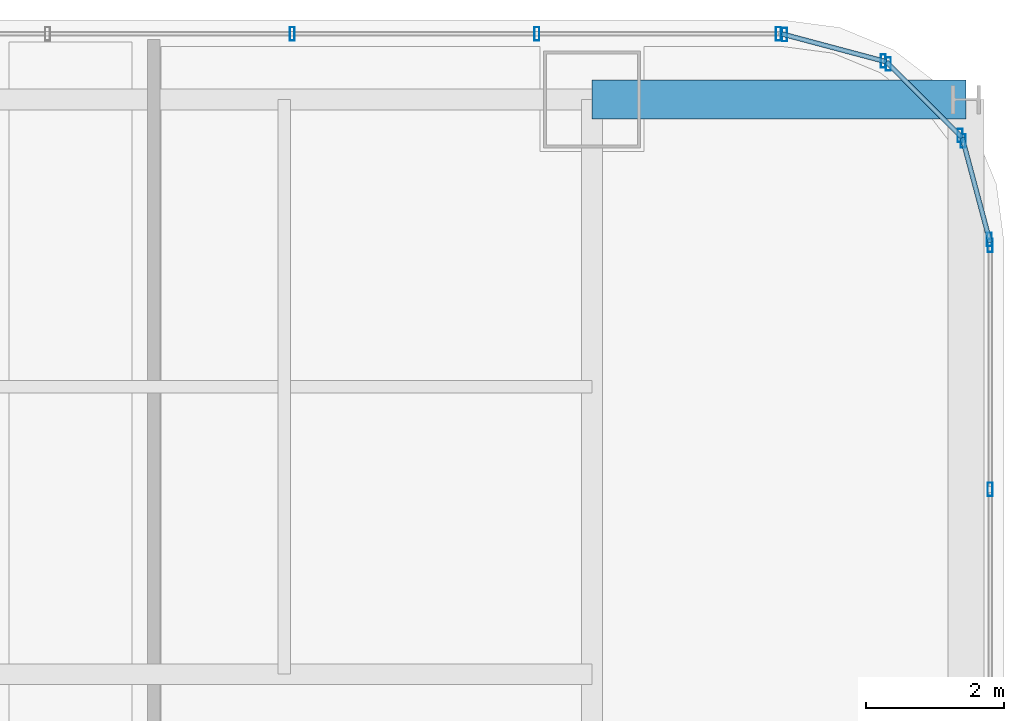
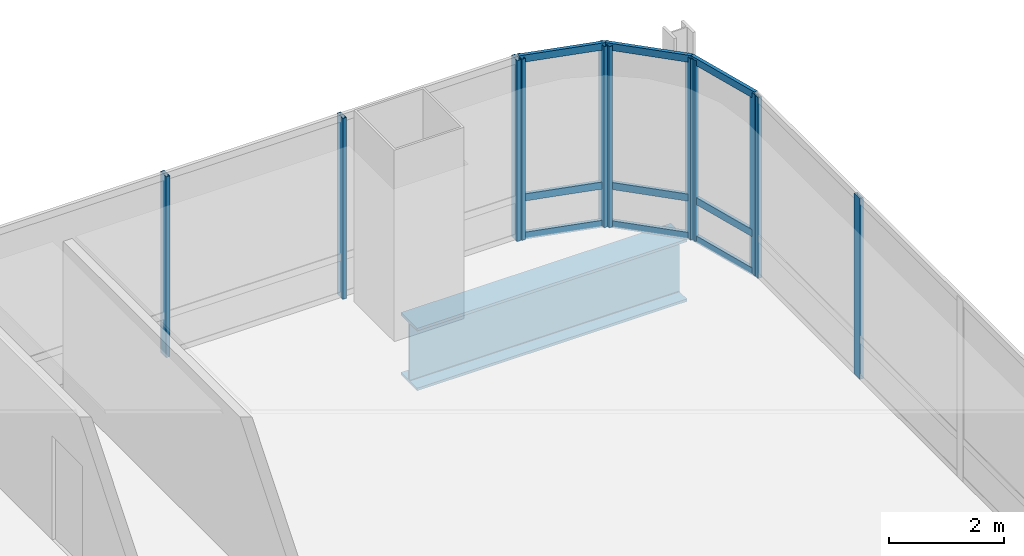
# One storey, part 26 of 36: 20 members, 1 beam, 5 elements without a shape of their own.
"""IFC4 building model written with IfcOpenShell, lengths in metres."""

from ifc_helpers import new_model, si_unit, direction, frame, origin, origin_2d, place, context, subcontext, project, spatial, hollow_rectangle, i_section, extrude, material, material_profile, profile_set, type_object, element, aggregate, save


model = new_model("IFC4")

# Units and contexts
model_context = context("Model", 3, precision=1e-05, world=origin(), true_north=direction((0.0, 1.0)))
body_context = subcontext(model_context, "Body", "Model", "MODEL_VIEW")
ifc_project = project(units=[si_unit("LENGTHUNIT", "METRE"), si_unit("AREAUNIT", "SQUARE_METRE"), si_unit("VOLUMEUNIT", "CUBIC_METRE"), si_unit("PLANEANGLEUNIT", "RADIAN"), si_unit("MASSUNIT", "GRAM", prefix="KILO")], contexts=[model_context])

# Site, building, storey
site_placement = place(None, origin())
site = spatial("IfcSite", under=ifc_project, at=site_placement, CompositionType="ELEMENT")
building_placement = place(site_placement, origin())
building = spatial("IfcBuilding", under=site, at=building_placement, Name="Punatoya Terracotta Tower", CompositionType="ELEMENT")
storey_placement = place(building_placement, frame((0.0, 0.0, 212.699951171875)))
storey = spatial("IfcBuildingStorey", under=building, at=storey_placement, Name="L50", CompositionType="ELEMENT", Elevation=212.699951171875)

# Beam
ifc_material_1 = material(Name="Steel S460", Category="steel")
ifc_material_profile_1 = material_profile(ifc_material_1, i_section(OverallWidth=0.56005859375, OverallDepth=1.320068359375, WebThickness=0.035888671875, FlangeThickness=0.054931640625, FilletRadius=0.01806640625, at=origin_2d()))
ifc_profile_set_1 = profile_set([ifc_material_profile_1], Name="Steel S460")
beam_type = type_object("IfcBeamType", Name="BM-TG-BLK", PredefinedType="BEAM", material=ifc_profile_set_1)
beam_placement = place(storey_placement, frame((19.10009765625, 17.5, -0.8798828125), z_axis=(1.0, 0.0, 0.0), x_axis=(0.0, 1.0, 0.0)))
element("IfcBeam", 1, at=beam_placement, inside=storey, type_object=beam_type, Name="BM-L50-CANT-E4", PredefinedType="BEAM", context=body_context, shape_type="SweptSolid", body=[
    extrude(i_section(OverallWidth=0.56005859375, OverallDepth=1.320068359375, WebThickness=0.035888671875, FlangeThickness=0.054931640625, FilletRadius=0.01806640625, at=origin_2d()), origin(), (0.0, 0.0, 1.0), 5.39990234375),
])

# Curtain wall, members
ifc_material_2 = material(Name="Aluminium 6063-T6 + Double Low-E Glass", Category="aluminium")
curtain_wall_type = type_object("IfcCurtainWallType", Name="CW-M2", PredefinedType="NOTDEFINED", material=ifc_material_2)
curtain_wall_1_placement = place(storey_placement, origin())
curtain_wall_1 = element("IfcCurtainWall", 2, at=curtain_wall_1_placement, inside=storey, type_object=curtain_wall_type, Name="L50 Curtain Wall CW-L50-E05-1", PredefinedType="NOTDEFINED")
ifc_material_3 = material(Name="Aluminium 6063-T6", Category="aluminium")
ifc_material_profile_2 = material_profile(ifc_material_3, hollow_rectangle(XDim=0.072021484375, YDim=0.195068359375, WallThickness=0.00439453125, at=origin_2d()))
ifc_profile_set_2 = profile_set([ifc_material_profile_2], Name="Aluminium 6063-T6")
member_type_1 = type_object("IfcMemberType", Name="CW-MUL-M2", PredefinedType="MULLION", material=ifc_profile_set_2)
member_1_placement = place(storey_placement, frame((24.85009765625, 11.869384765625, 0.0), z_axis=(0.0, 0.0, 1.0), x_axis=(1.0, 0.0, 0.0)))
member_1 = element("IfcMember", 3, at=member_1_placement, type_object=member_type_1, Name="CW-L50-E05-1 Mullion 09", PredefinedType="MULLION", context=body_context, shape_type="SweptSolid", body=[
    extrude(hollow_rectangle(XDim=0.072021484375, YDim=0.195068359375, WallThickness=0.00439453125, at=origin_2d()), origin(), (0.0, 0.0, 1.0), 3.830078125),
])
member_2_placement = place(storey_placement, frame((24.85009765625, 15.391845703125, 0.0), z_axis=(0.0, 0.0, 1.0), x_axis=(1.0, 0.0, 0.0)))
member_2 = element("IfcMember", 4, at=member_2_placement, type_object=member_type_1, Name="CW-L50-E05-1 Mullion 10", PredefinedType="MULLION", context=body_context, shape_type="SweptSolid", body=[
    extrude(hollow_rectangle(XDim=0.072021484375, YDim=0.195068359375, WallThickness=0.00439453125, at=origin_2d()), origin(), (0.0, 0.0, 1.0), 3.830078125),
])
aggregate(curtain_wall_1, [member_1, member_2])

curtain_wall_2_placement = place(storey_placement, origin())
curtain_wall_2 = element("IfcCurtainWall", 5, at=curtain_wall_2_placement, inside=storey, type_object=curtain_wall_type, Name="L50 Curtain Wall CW-L50-CRN06", PredefinedType="NOTDEFINED")
member_3_placement = place(storey_placement, frame((24.83837890625, 15.48046875, 0.0), z_axis=(0.0, 0.0, 1.0), x_axis=(1.0, 0.0, 0.0)))
member_3 = element("IfcMember", 6, at=member_3_placement, type_object=member_type_1, Name="CW-L50-CRN06 Mullion 00", PredefinedType="MULLION", context=body_context, shape_type="SweptSolid", body=[
    extrude(hollow_rectangle(XDim=0.072021484375, YDim=0.195068359375, WallThickness=0.00439453125, at=origin_2d()), origin(), (0.0, 0.0, 1.0), 3.830078125),
])
member_4_placement = place(storey_placement, frame((24.458251953125, 16.905517578125, 0.0), z_axis=(0.0, 0.0, 1.0), x_axis=(1.0, 0.0, 0.0)))
member_4 = element("IfcMember", 7, at=member_4_placement, type_object=member_type_1, Name="CW-L50-CRN06 Mullion 01", PredefinedType="MULLION", context=body_context, shape_type="SweptSolid", body=[
    extrude(hollow_rectangle(XDim=0.072021484375, YDim=0.195068359375, WallThickness=0.00439453125, at=origin_2d()), origin(), (0.0, 0.0, 1.0), 3.830078125),
])

curtain_wall_3_placement = place(storey_placement, origin())
curtain_wall_3 = element("IfcCurtainWall", 8, at=curtain_wall_3_placement, inside=storey, type_object=curtain_wall_type, Name="L50 Curtain Wall CW-L50-CRN07", PredefinedType="NOTDEFINED")
member_5_placement = place(storey_placement, frame((24.414794921875, 16.98095703125, 0.0), z_axis=(0.0, 0.0, 1.0), x_axis=(1.0, 0.0, 0.0)))
member_5 = element("IfcMember", 9, at=member_5_placement, type_object=member_type_1, Name="CW-L50-CRN07 Mullion 00", PredefinedType="MULLION", context=body_context, shape_type="SweptSolid", body=[
    extrude(hollow_rectangle(XDim=0.072021484375, YDim=0.195068359375, WallThickness=0.00439453125, at=origin_2d()), origin(), (0.0, 0.0, 1.0), 3.830078125),
])
member_6_placement = place(storey_placement, frame((23.380859375, 18.014892578125, 0.0), z_axis=(0.0, 0.0, 1.0), x_axis=(1.0, 0.0, 0.0)))
member_6 = element("IfcMember", 10, at=member_6_placement, type_object=member_type_1, Name="CW-L50-CRN07 Mullion 01", PredefinedType="MULLION", context=body_context, shape_type="SweptSolid", body=[
    extrude(hollow_rectangle(XDim=0.072021484375, YDim=0.195068359375, WallThickness=0.00439453125, at=origin_2d()), origin(), (0.0, 0.0, 1.0), 3.830078125),
])

curtain_wall_4_placement = place(storey_placement, origin())
curtain_wall_4 = element("IfcCurtainWall", 11, at=curtain_wall_4_placement, inside=storey, type_object=curtain_wall_type, Name="L50 Curtain Wall CW-L50-CRN08", PredefinedType="NOTDEFINED")
member_7_placement = place(storey_placement, frame((23.3056640625, 18.05810546875, 0.0), z_axis=(0.0, 0.0, 1.0), x_axis=(1.0, 0.0, 0.0)))
member_7 = element("IfcMember", 12, at=member_7_placement, type_object=member_type_1, Name="CW-L50-CRN08 Mullion 00", PredefinedType="MULLION", context=body_context, shape_type="SweptSolid", body=[
    extrude(hollow_rectangle(XDim=0.072021484375, YDim=0.195068359375, WallThickness=0.00439453125, at=origin_2d()), origin(), (0.0, 0.0, 1.0), 3.830078125),
])
member_8_placement = place(storey_placement, frame((21.88037109375, 18.4384765625, 0.0), z_axis=(0.0, 0.0, 1.0), x_axis=(1.0, 0.0, 0.0)))
member_8 = element("IfcMember", 13, at=member_8_placement, type_object=member_type_1, Name="CW-L50-CRN08 Mullion 01", PredefinedType="MULLION", context=body_context, shape_type="SweptSolid", body=[
    extrude(hollow_rectangle(XDim=0.072021484375, YDim=0.195068359375, WallThickness=0.00439453125, at=origin_2d()), origin(), (0.0, 0.0, 1.0), 3.830078125),
])

curtain_wall_5_placement = place(storey_placement, origin())
curtain_wall_5 = element("IfcCurtainWall", 14, at=curtain_wall_5_placement, inside=storey, type_object=curtain_wall_type, Name="L50 Curtain Wall CW-L50-N09-1", PredefinedType="NOTDEFINED")
member_9_placement = place(storey_placement, frame((21.7919921875, 18.449951171875, 0.0), z_axis=(0.0, 0.0, 1.0), x_axis=(1.0, 0.0, 0.0)))
member_9 = element("IfcMember", 15, at=member_9_placement, type_object=member_type_1, Name="CW-L50-N09-1 Mullion 00", PredefinedType="MULLION", context=body_context, shape_type="SweptSolid", body=[
    extrude(hollow_rectangle(XDim=0.072021484375, YDim=0.195068359375, WallThickness=0.00439453125, at=origin_2d()), origin(), (0.0, 0.0, 1.0), 3.830078125),
])
member_10_placement = place(storey_placement, frame((18.302978515625, 18.449951171875, 0.0), z_axis=(0.0, 0.0, 1.0), x_axis=(1.0, 0.0, 0.0)))
member_10 = element("IfcMember", 16, at=member_10_placement, type_object=member_type_1, Name="CW-L50-N09-1 Mullion 01", PredefinedType="MULLION", context=body_context, shape_type="SweptSolid", body=[
    extrude(hollow_rectangle(XDim=0.072021484375, YDim=0.195068359375, WallThickness=0.00439453125, at=origin_2d()), origin(), (0.0, 0.0, 1.0), 3.830078125),
])
member_11_placement = place(storey_placement, frame((14.768798828125, 18.449951171875, 0.0), z_axis=(0.0, 0.0, 1.0), x_axis=(1.0, 0.0, 0.0)))
member_11 = element("IfcMember", 17, at=member_11_placement, type_object=member_type_1, Name="CW-L50-N09-1 Mullion 02", PredefinedType="MULLION", context=body_context, shape_type="SweptSolid", body=[
    extrude(hollow_rectangle(XDim=0.072021484375, YDim=0.195068359375, WallThickness=0.00439453125, at=origin_2d()), origin(), (0.0, 0.0, 1.0), 3.830078125),
])
aggregate(curtain_wall_5, [member_9, member_10, member_11])

# Member
ifc_material_profile_3 = material_profile(ifc_material_3, hollow_rectangle(XDim=0.068115234375, YDim=0.14990234375, WallThickness=0.00390625, at=origin_2d()))
ifc_profile_set_3 = profile_set([ifc_material_profile_3], Name="Aluminium 6063-T6")
member_type_2 = type_object("IfcMemberType", Name="CW-TRN-TYP", PredefinedType="USERDEFINED", material=ifc_profile_set_3)
member_12_placement = place(storey_placement, frame((24.85009765625, 15.43701171875, 0.0400390625), z_axis=(-0.257847112249, 0.966185730957, 0.0), x_axis=(-0.966185730957, -0.257847112249, 0.0)))
member_12 = element("IfcMember", 18, at=member_12_placement, type_object=member_type_2, Name="CW-L50-CRN06 Transom 1", ObjectType="TRANSOM", PredefinedType="USERDEFINED", context=body_context, shape_type="SweptSolid", body=[
    extrude(hollow_rectangle(XDim=0.068115234375, YDim=0.14990234375, WallThickness=0.00390625, at=origin_2d()), origin(), (0.0, 0.0, 1.0), 1.565185546875),
])

member_13_placement = place(storey_placement, frame((24.85009765625, 15.43701171875, 0.85009765625), z_axis=(-0.257847112249, 0.966185730957, 0.0), x_axis=(-0.966185730957, -0.257847112249, 0.0)))
member_13 = element("IfcMember", 19, at=member_13_placement, type_object=member_type_2, Name="CW-L50-CRN06 Transom 2", ObjectType="TRANSOM", PredefinedType="USERDEFINED", context=body_context, shape_type="SweptSolid", body=[
    extrude(hollow_rectangle(XDim=0.068115234375, YDim=0.14990234375, WallThickness=0.00390625, at=origin_2d()), origin(), (0.0, 0.0, 1.0), 1.565185546875),
])

member_14_placement = place(storey_placement, frame((24.85009765625, 15.43701171875, 3.7900390625), z_axis=(-0.257847112249, 0.966185730957, 0.0), x_axis=(-0.966185730957, -0.257847112249, 0.0)))
member_14 = element("IfcMember", 20, at=member_14_placement, type_object=member_type_2, Name="CW-L50-CRN06 Transom 3", ObjectType="TRANSOM", PredefinedType="USERDEFINED", context=body_context, shape_type="SweptSolid", body=[
    extrude(hollow_rectangle(XDim=0.068115234375, YDim=0.14990234375, WallThickness=0.00390625, at=origin_2d()), origin(), (0.0, 0.0, 1.0), 1.565185546875),
])

aggregate(curtain_wall_2, [member_3, member_4, member_12, member_13, member_14])

member_15_placement = place(storey_placement, frame((24.446533203125, 16.94921875, 0.0400390625), z_axis=(-0.707106781187, 0.707106781187, 0.0), x_axis=(-0.707106781187, -0.707106781187, 0.0)))
member_15 = element("IfcMember", 21, at=member_15_placement, type_object=member_type_2, Name="CW-L50-CRN07 Transom 1", ObjectType="TRANSOM", PredefinedType="USERDEFINED", context=body_context, shape_type="SweptSolid", body=[
    extrude(hollow_rectangle(XDim=0.068115234375, YDim=0.14990234375, WallThickness=0.00390625, at=origin_2d()), origin(), (0.0, 0.0, 1.0), 1.552001953125),
])

member_16_placement = place(storey_placement, frame((24.446533203125, 16.94921875, 0.85009765625), z_axis=(-0.707106781187, 0.707106781187, 0.0), x_axis=(-0.707106781187, -0.707106781187, 0.0)))
member_16 = element("IfcMember", 22, at=member_16_placement, type_object=member_type_2, Name="CW-L50-CRN07 Transom 2", ObjectType="TRANSOM", PredefinedType="USERDEFINED", context=body_context, shape_type="SweptSolid", body=[
    extrude(hollow_rectangle(XDim=0.068115234375, YDim=0.14990234375, WallThickness=0.00390625, at=origin_2d()), origin(), (0.0, 0.0, 1.0), 1.552001953125),
])

member_17_placement = place(storey_placement, frame((24.446533203125, 16.94921875, 3.7900390625), z_axis=(-0.707106781187, 0.707106781187, 0.0), x_axis=(-0.707106781187, -0.707106781187, 0.0)))
member_17 = element("IfcMember", 23, at=member_17_placement, type_object=member_type_2, Name="CW-L50-CRN07 Transom 3", ObjectType="TRANSOM", PredefinedType="USERDEFINED", context=body_context, shape_type="SweptSolid", body=[
    extrude(hollow_rectangle(XDim=0.068115234375, YDim=0.14990234375, WallThickness=0.00390625, at=origin_2d()), origin(), (0.0, 0.0, 1.0), 1.552001953125),
])

aggregate(curtain_wall_3, [member_5, member_6, member_15, member_16, member_17])

member_18_placement = place(storey_placement, frame((23.34912109375, 18.046630859375, 0.0400390625), z_axis=(-0.966224582397, 0.257701486942, 0.0), x_axis=(-0.257701486942, -0.966224582397, 0.0)))
member_18 = element("IfcMember", 24, at=member_18_placement, type_object=member_type_2, Name="CW-L50-CRN08 Transom 1", ObjectType="TRANSOM", PredefinedType="USERDEFINED", context=body_context, shape_type="SweptSolid", body=[
    extrude(hollow_rectangle(XDim=0.068115234375, YDim=0.14990234375, WallThickness=0.00390625, at=origin_2d()), origin(), (0.0, 0.0, 1.0), 1.565185546875),
])

member_19_placement = place(storey_placement, frame((23.34912109375, 18.046630859375, 0.85009765625), z_axis=(-0.966224582397, 0.257701486942, 0.0), x_axis=(-0.257701486942, -0.966224582397, 0.0)))
member_19 = element("IfcMember", 25, at=member_19_placement, type_object=member_type_2, Name="CW-L50-CRN08 Transom 2", ObjectType="TRANSOM", PredefinedType="USERDEFINED", context=body_context, shape_type="SweptSolid", body=[
    extrude(hollow_rectangle(XDim=0.068115234375, YDim=0.14990234375, WallThickness=0.00390625, at=origin_2d()), origin(), (0.0, 0.0, 1.0), 1.565185546875),
])

member_20_placement = place(storey_placement, frame((23.34912109375, 18.046630859375, 3.7900390625), z_axis=(-0.966224582397, 0.257701486942, 0.0), x_axis=(-0.257701486942, -0.966224582397, 0.0)))
member_20 = element("IfcMember", 26, at=member_20_placement, type_object=member_type_2, Name="CW-L50-CRN08 Transom 3", ObjectType="TRANSOM", PredefinedType="USERDEFINED", context=body_context, shape_type="SweptSolid", body=[
    extrude(hollow_rectangle(XDim=0.068115234375, YDim=0.14990234375, WallThickness=0.00390625, at=origin_2d()), origin(), (0.0, 0.0, 1.0), 1.565185546875),
])

aggregate(curtain_wall_4, [member_7, member_8, member_18, member_19, member_20])

save(model, "model.ifc")
